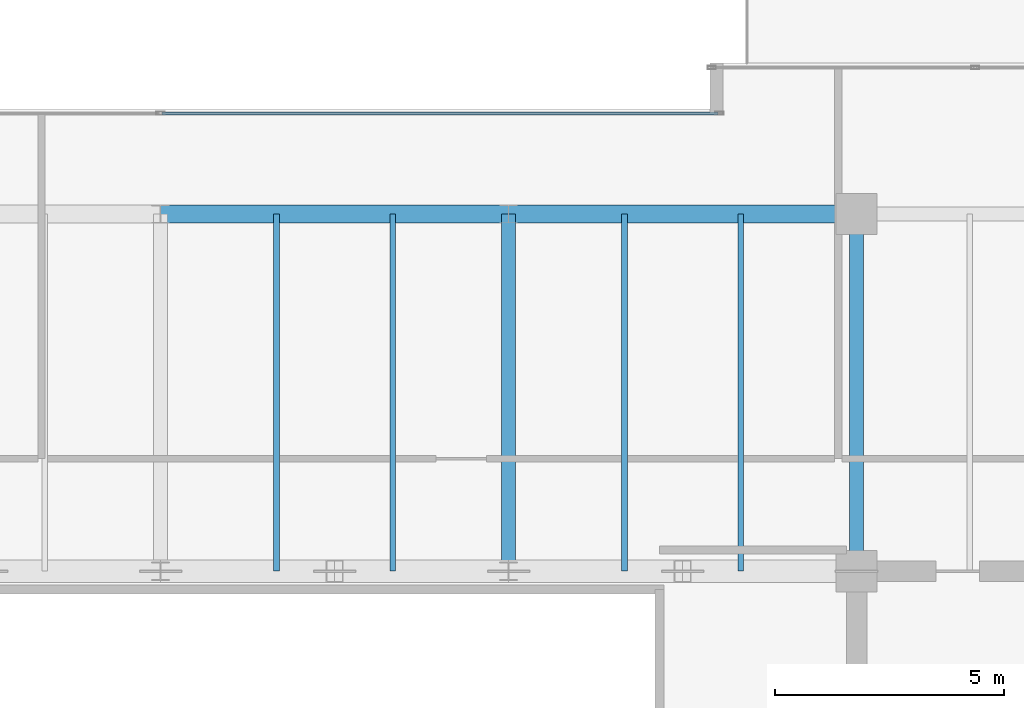
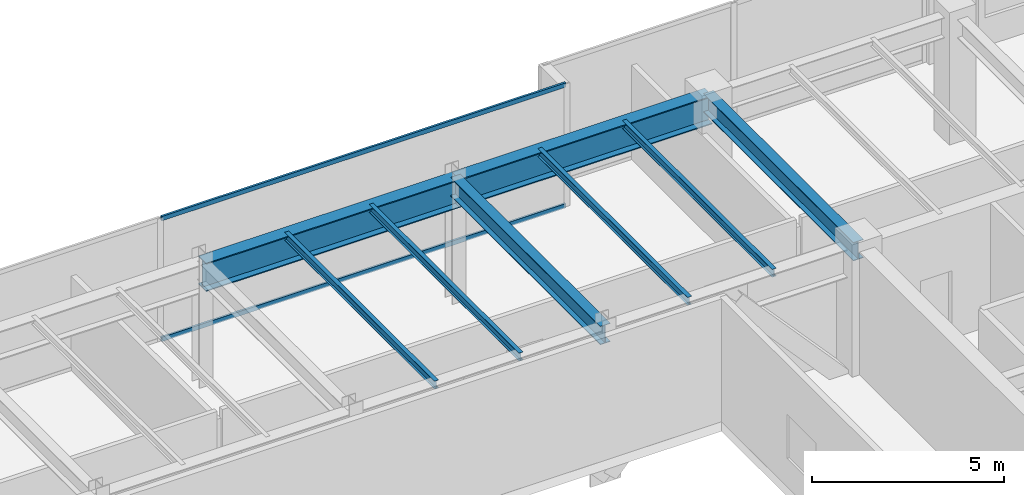
# One storey, part 21 of 31: 8 beams, 2 members, 1 element without a shape of its own.
"""IFC4 building model written with IfcOpenShell, lengths in metres."""

from ifc_helpers import new_model, si_unit, direction, frame, origin, origin_2d, place, context, subcontext, project, spatial, hollow_rectangle, i_section, extrude, source, transform, mapped, material, layer, layer_set, material_profile, profile_set, type_object, type_shapes, element, aggregate, save


model = new_model("IFC4")

# Units and contexts
model_context = context("Model", 3, precision=1e-05, world=origin(), true_north=direction((0.0, 1.0)))
body_context = subcontext(model_context, "Body", "Model", "MODEL_VIEW")
ifc_project = project(units=[si_unit("LENGTHUNIT", "METRE"), si_unit("AREAUNIT", "SQUARE_METRE"), si_unit("VOLUMEUNIT", "CUBIC_METRE"), si_unit("PLANEANGLEUNIT", "RADIAN"), si_unit("MASSUNIT", "GRAM", prefix="KILO")], contexts=[model_context])

# Site, building, storey
site_placement = place(None, origin())
site = spatial("IfcSite", under=ifc_project, at=site_placement, CompositionType="ELEMENT")
building_placement = place(site_placement, origin())
building = spatial("IfcBuilding", under=site, at=building_placement, Name="Haelvirn Gate Laboratories", CompositionType="ELEMENT")
storey_placement = place(building_placement, frame((0.0, 0.0, 310.199951171875)))
storey = spatial("IfcBuildingStorey", under=building, at=storey_placement, Name="L74", CompositionType="ELEMENT", Elevation=310.199951171875)

# Beams
ifc_material_1 = material(Name="Steel SM420", Category="steel")
ifc_material_profile_1 = material_profile(ifc_material_1, i_section(OverallWidth=0.39990234375, OverallDepth=0.89990234375, WebThickness=0.01904296875, FlangeThickness=0.031982421875, at=origin_2d()), Name="H-900x400x19x32")
ifc_profile_set_1 = profile_set([ifc_material_profile_1], Name="Steel SM420")
beam_type_1 = type_object("IfcBeamType", Name="BM-TG-900", PredefinedType="BEAM", material=ifc_profile_set_1)
shared_shape_1 = source(origin(), body_context, "Body", "SweptSolid", [
    extrude(i_section(OverallWidth=0.39990234375, OverallDepth=0.89990234375, WebThickness=0.01904296875, FlangeThickness=0.031982421875, at=origin_2d()), origin(), (0.0, 0.0, 1.0), 7.60009765625),
])
type_shapes(beam_type_1, [shared_shape_1])
for number, where, z_axis, x_axis, name in (
    (1, (37.39990234375, 41.60009765625, 3.449951171875), (1.0, 0.0, 0.0), (0.0, 1.0, 0.0), "L74 Primary Girder Y41.6 (37.4-45.0)"),
    (2, (45.0, 41.60009765625, 3.449951171875), (1.0, 0.0, 0.0), (0.0, 1.0, 0.0), "L74 Primary Girder Y41.6 (45.0-52.6)"),
):
    element("IfcBeam", number, at=place(storey_placement, frame(where, z_axis=z_axis, x_axis=x_axis)), inside=storey, type_object=beam_type_1, Name=name, PredefinedType="BEAM", context=body_context, shape_type="MappedRepresentation", body=[
        mapped(shared_shape_1, transform((0.0, 0.0, 0.0), scale=1.0)),
    ])
ifc_material_2 = material(Name="Steel SM355", Category="steel")
ifc_material_profile_2 = material_profile(ifc_material_2, i_section(OverallWidth=0.300048828125, OverallDepth=0.587890625, WebThickness=0.011962890625, FlangeThickness=0.02001953125, at=origin_2d()), Name="H-588x300x12x20")
ifc_profile_set_2 = profile_set([ifc_material_profile_2], Name="Steel SM355")
beam_type_2 = type_object("IfcBeamType", Name="BM-G-588", PredefinedType="BEAM", material=ifc_profile_set_2)
shared_shape_2 = source(origin(), body_context, "Body", "SweptSolid", [
    extrude(i_section(OverallWidth=0.300048828125, OverallDepth=0.587890625, WebThickness=0.011962890625, FlangeThickness=0.02001953125, at=origin_2d()), origin(), (0.0, 0.0, 1.0), 7.800048828125),
])
type_shapes(beam_type_2, [shared_shape_2])
for number, where, z_axis, x_axis, name in (
    (3, (45.0, 33.800048828125, 3.60595703125), (0.0, 1.0, 0.0), (-1.0, 0.0, 0.0), "L74 Frame Girder X45.0 (33.8-41.6)"),
    (4, (52.60009765625, 33.800048828125, 3.60595703125), (0.0, 1.0, 0.0), (-1.0, 0.0, 0.0), "L74 Frame Girder X52.6 (33.8-41.6)"),
):
    element("IfcBeam", number, at=place(storey_placement, frame(where, z_axis=z_axis, x_axis=x_axis)), inside=storey, type_object=beam_type_2, Name=name, PredefinedType="BEAM", context=body_context, shape_type="MappedRepresentation", body=[
        mapped(shared_shape_2, transform((0.0, 0.0, 0.0), scale=1.0)),
    ])
ifc_material_profile_3 = material_profile(ifc_material_2, i_section(OverallWidth=0.125, OverallDepth=0.25, WebThickness=0.006103515625, FlangeThickness=0.009033203125, at=origin_2d()), Name="H-250x125x6x9")
ifc_profile_set_3 = profile_set([ifc_material_profile_3], Name="Steel SM355")
beam_type_3 = type_object("IfcBeamType", Name="BM-J-250", PredefinedType="JOIST", material=ifc_profile_set_3)
shared_shape_3 = source(origin(), body_context, "Body", "SweptSolid", [
    extrude(i_section(OverallWidth=0.125, OverallDepth=0.25, WebThickness=0.006103515625, FlangeThickness=0.009033203125, at=origin_2d()), origin(), (0.0, 0.0, 1.0), 7.800048828125),
])
type_shapes(beam_type_3, [shared_shape_3])
for number, where, z_axis, x_axis, name in (
    (5, (39.929931640625, 33.800048828125, 3.775146484375), (0.0, 1.0, 0.0), (-1.0, 0.0, 0.0), "L74 Composite Lab Joist North X39.93"),
    (6, (42.469970703125, 33.800048828125, 3.775146484375), (0.0, 1.0, 0.0), (-1.0, 0.0, 0.0), "L74 Composite Lab Joist North X42.47"),
    (7, (47.530029296875, 33.800048828125, 3.775146484375), (0.0, 1.0, 0.0), (-1.0, 0.0, 0.0), "L74 Composite Lab Joist North X47.53"),
    (8, (50.070068359375, 33.800048828125, 3.775146484375), (0.0, 1.0, 0.0), (-1.0, 0.0, 0.0), "L74 Composite Lab Joist North X50.07"),
):
    element("IfcBeam", number, at=place(storey_placement, frame(where, z_axis=z_axis, x_axis=x_axis)), inside=storey, type_object=beam_type_3, Name=name, PredefinedType="JOIST", context=body_context, shape_type="MappedRepresentation", body=[
        mapped(shared_shape_3, transform((0.0, 0.0, 0.0), scale=1.0)),
    ])

# Curtain wall, members
ifc_material_3 = material(Name="Anodised bronze unitised aluminium & triple low-E glass", Category="aluminium")
ifc_layer = layer(ifc_material_3, 0.176025390625, Name="CW-SYS-4")
ifc_layer_set = layer_set([ifc_layer], Name="Anodised bronze unitised aluminium & triple low-E glass")
curtain_wall_type = type_object("IfcCurtainWallType", Name="CW-SYS-4", PredefinedType="NOTDEFINED", material=ifc_layer_set)
curtain_wall_placement = place(storey_placement, origin())
curtain_wall = element("IfcCurtainWall", 9, at=curtain_wall_placement, inside=storey, type_object=curtain_wall_type, Name="L74 Unitised Curtain Wall CW-L74-P0-E12-1", PredefinedType="NOTDEFINED")
ifc_material_4 = material(Name="Extruded aluminium 6063-T6 (anodised bronze)", Category="aluminium")
ifc_material_profile_4 = material_profile(ifc_material_4, hollow_rectangle(XDim=0.06494140625, YDim=0.139892578125, WallThickness=0.00390625, at=origin_2d()), Name="CWT-140x65x4")
ifc_profile_set_4 = profile_set([ifc_material_profile_4], Name="Extruded aluminium 6063-T6 (anodised bronze)")
member_type = type_object("IfcMemberType", Name="CWT-T140", PredefinedType="USERDEFINED", material=ifc_profile_set_4)
shared_shape_4 = source(origin(), body_context, "Body", "SweptSolid", [
    extrude(hollow_rectangle(XDim=0.06494140625, YDim=0.139892578125, WallThickness=0.00390625, at=origin_2d()), origin(), (0.0, 0.0, 1.0), 12.135009765625),
])
type_shapes(member_type, [shared_shape_4])
member_1_placement = place(storey_placement, frame((37.43505859375, 43.800048828125, 0.032470703125), z_axis=(1.0, 0.0, 0.0), x_axis=(0.0, 1.0, 0.0)))
member_1 = element("IfcMember", 10, at=member_1_placement, type_object=member_type, Name="CW4 transom 2.1", ObjectType="TRANSOM", PredefinedType="USERDEFINED", context=body_context, shape_type="MappedRepresentation", body=[
    mapped(shared_shape_4, transform((0.0, 0.0, 0.0), scale=1.0)),
])
member_2_placement = place(storey_placement, frame((37.43505859375, 43.800048828125, 3.867431640625), z_axis=(1.0, 0.0, 0.0), x_axis=(0.0, 1.0, 0.0)))
member_2 = element("IfcMember", 11, at=member_2_placement, type_object=member_type, Name="CW4 transom 2.2", ObjectType="TRANSOM", PredefinedType="USERDEFINED", context=body_context, shape_type="MappedRepresentation", body=[
    mapped(shared_shape_4, transform((0.0, 0.0, 0.0), scale=1.0)),
])
aggregate(curtain_wall, [member_1, member_2])

save(model, "model.ifc")
